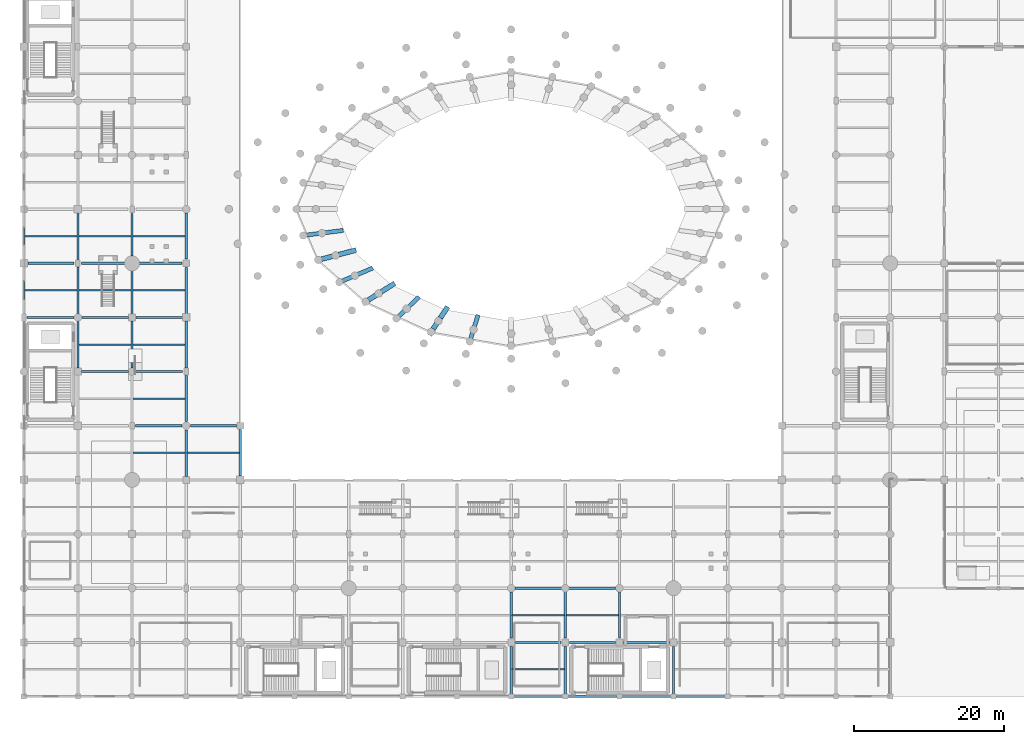
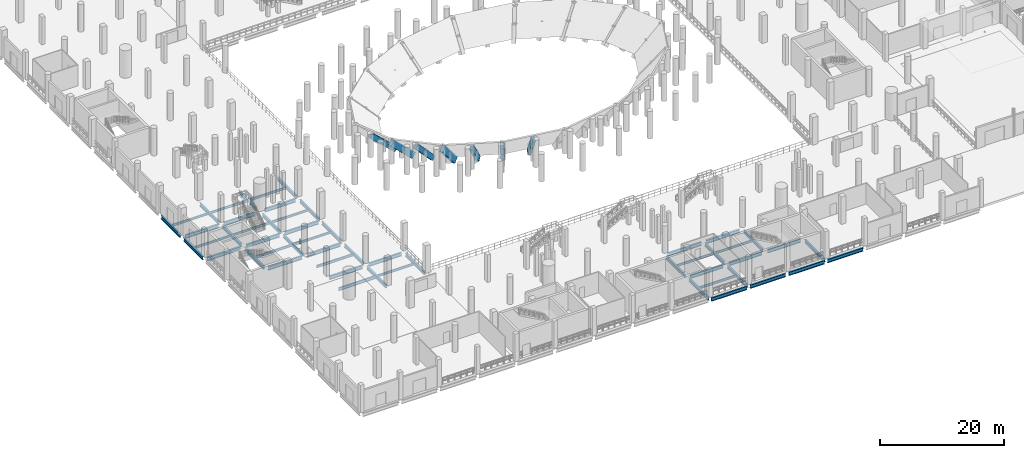
# One storey, part 7 of 58: 67 beams.
"""IFC4 building model written with IfcOpenShell, lengths in metres."""

from ifc_helpers import new_model, si_unit, direction, frame, origin, origin_2d, place, context, subcontext, project, spatial, rectangle, i_section, extrude, material, material_profile, profile_set, type_object, element, save


model = new_model("IFC4")

# Units and contexts
model_context = context("Model", 3, precision=1e-05, world=origin(), true_north=direction((0.0, 1.0)))
body_context = subcontext(model_context, "Body", "Model", "MODEL_VIEW")
ifc_project = project(units=[si_unit("LENGTHUNIT", "METRE"), si_unit("AREAUNIT", "SQUARE_METRE"), si_unit("VOLUMEUNIT", "CUBIC_METRE"), si_unit("PLANEANGLEUNIT", "RADIAN"), si_unit("MASSUNIT", "GRAM", prefix="KILO")], contexts=[model_context])

# Site, building, storey
site_placement = place(None, origin())
site = spatial("IfcSite", under=ifc_project, at=site_placement, CompositionType="ELEMENT")
building_placement = place(site_placement, origin())
building = spatial("IfcBuilding", under=site, at=building_placement, Name="Qandorah Velis Arena", CompositionType="ELEMENT")
storey_placement = place(building_placement, origin())
storey = spatial("IfcBuildingStorey", under=building, at=storey_placement, Name="L00", CompositionType="ELEMENT", Elevation=0.0)

# Beams
ifc_material_1 = material(Name="Steel S355", Category="steel")
ifc_material_profile_1 = material_profile(ifc_material_1, i_section(OverallWidth=0.300048828125, OverallDepth=0.64990234375, WebThickness=0.01611328125, FlangeThickness=0.031005859375, FilletRadius=0.027099609375, at=origin_2d()), Name="HEB 650")
ifc_profile_set_1 = profile_set([ifc_material_profile_1], Name="Steel S355")
beam_type_1 = type_object("IfcBeamType", Name="STR-BM-HEB650", PredefinedType="BEAM", material=ifc_profile_set_1)
beam_1_placement = place(storey_placement, frame((0.0, 50.85009765625, -0.7451171875), z_axis=(0.0, 1.0, 0.0), x_axis=(-1.0, 0.0, 0.0)))
element("IfcBeam", 1, at=beam_1_placement, inside=storey, type_object=beam_type_1, Name="Primary floor girder L00 Y-275", PredefinedType="BEAM", context=body_context, shape_type="SweptSolid", body=[
    extrude(i_section(OverallWidth=0.300048828125, OverallDepth=0.64990234375, WebThickness=0.01611328125, FlangeThickness=0.031005859375, FilletRadius=0.027099609375, at=origin_2d()), origin(), (0.0, 0.0, 1.0), 6.199951171875),
])
beam_2_placement = place(storey_placement, frame((0.0, 58.14990234375, -0.7451171875), z_axis=(0.0, 1.0, 0.0), x_axis=(-1.0, 0.0, 0.0)))
element("IfcBeam", 2, at=beam_2_placement, inside=storey, type_object=beam_type_1, Name="Primary floor girder L00 Y-276", PredefinedType="BEAM", context=body_context, shape_type="SweptSolid", body=[
    extrude(i_section(OverallWidth=0.300048828125, OverallDepth=0.64990234375, WebThickness=0.01611328125, FlangeThickness=0.031005859375, FilletRadius=0.027099609375, at=origin_2d()), origin(), (0.0, 0.0, 1.0), 6.150146484375),
])
beam_3_placement = place(storey_placement, frame((7.199951171875, 43.64990234375, -0.7451171875), z_axis=(0.0, 1.0, 0.0), x_axis=(-1.0, 0.0, 0.0)))
element("IfcBeam", 3, at=beam_3_placement, inside=storey, type_object=beam_type_1, Name="Primary floor girder L00 Y-292", PredefinedType="BEAM", context=body_context, shape_type="SweptSolid", body=[
    extrude(i_section(OverallWidth=0.300048828125, OverallDepth=0.64990234375, WebThickness=0.01611328125, FlangeThickness=0.031005859375, FilletRadius=0.027099609375, at=origin_2d()), origin(), (0.0, 0.0, 1.0), 6.2001953125),
])
beam_4_placement = place(storey_placement, frame((7.199951171875, 50.949951171875, -0.7451171875), z_axis=(0.0, 1.0, 0.0), x_axis=(-1.0, 0.0, 0.0)))
element("IfcBeam", 4, at=beam_4_placement, inside=storey, type_object=beam_type_1, Name="Primary floor girder L00 Y-293", PredefinedType="BEAM", context=body_context, shape_type="SweptSolid", body=[
    extrude(i_section(OverallWidth=0.300048828125, OverallDepth=0.64990234375, WebThickness=0.01611328125, FlangeThickness=0.031005859375, FilletRadius=0.027099609375, at=origin_2d()), origin(), (0.0, 0.0, 1.0), 6.150146484375),
])
for number, where, z_axis, x_axis, name in (
    (5, (7.199951171875, 58.10009765625, -0.7451171875), (0.0, 1.0, 0.0), (-1.0, 0.0, 0.0), "Primary floor girder L00 Y-294"),
    (6, (14.39990234375, 43.64990234375, -0.7451171875), (0.0, 1.0, 0.0), (-1.0, 0.0, 0.0), "Primary floor girder L00 Y-310"),
):
    element("IfcBeam", number, at=place(storey_placement, frame(where, z_axis=z_axis, x_axis=x_axis)), inside=storey, type_object=beam_type_1, Name=name, PredefinedType="BEAM", context=body_context, shape_type="SweptSolid", body=[
        extrude(i_section(OverallWidth=0.300048828125, OverallDepth=0.64990234375, WebThickness=0.01611328125, FlangeThickness=0.031005859375, FilletRadius=0.027099609375, at=origin_2d()), origin(), (0.0, 0.0, 1.0), 6.25),
    ])
beam_5_placement = place(storey_placement, frame((14.39990234375, 50.89990234375, -0.7451171875), z_axis=(0.0, 1.0, 0.0), x_axis=(-1.0, 0.0, 0.0)))
element("IfcBeam", 7, at=beam_5_placement, inside=storey, type_object=beam_type_1, Name="Primary floor girder L00 Y-311", PredefinedType="BEAM", context=body_context, shape_type="SweptSolid", body=[
    extrude(i_section(OverallWidth=0.300048828125, OverallDepth=0.64990234375, WebThickness=0.01611328125, FlangeThickness=0.031005859375, FilletRadius=0.027099609375, at=origin_2d()), origin(), (0.0, 0.0, 1.0), 5.75),
])
beam_6_placement = place(storey_placement, frame((14.39990234375, 58.550048828125, -0.7451171875), z_axis=(0.0, 1.0, 0.0), x_axis=(-1.0, 0.0, 0.0)))
element("IfcBeam", 8, at=beam_6_placement, inside=storey, type_object=beam_type_1, Name="Primary floor girder L00 Y-312", PredefinedType="BEAM", context=body_context, shape_type="SweptSolid", body=[
    extrude(i_section(OverallWidth=0.300048828125, OverallDepth=0.64990234375, WebThickness=0.01611328125, FlangeThickness=0.031005859375, FilletRadius=0.027099609375, at=origin_2d()), origin(), (0.0, 0.0, 1.0), 5.699951171875),
])
beam_7_placement = place(storey_placement, frame((21.60009765625, 29.25, -0.7451171875), z_axis=(0.0, 1.0, 0.0), x_axis=(-1.0, 0.0, 0.0)))
element("IfcBeam", 9, at=beam_7_placement, inside=storey, type_object=beam_type_1, Name="Primary floor girder L00 Y-326", PredefinedType="BEAM", context=body_context, shape_type="SweptSolid", body=[
    extrude(i_section(OverallWidth=0.300048828125, OverallDepth=0.64990234375, WebThickness=0.01611328125, FlangeThickness=0.031005859375, FilletRadius=0.027099609375, at=origin_2d()), origin(), (0.0, 0.0, 1.0), 6.199951171875),
])
beam_8_placement = place(storey_placement, frame((21.60009765625, 36.550048828125, -0.7451171875), z_axis=(0.0, 1.0, 0.0), x_axis=(-1.0, 0.0, 0.0)))
element("IfcBeam", 10, at=beam_8_placement, inside=storey, type_object=beam_type_1, Name="Primary floor girder L00 Y-327", PredefinedType="BEAM", context=body_context, shape_type="SweptSolid", body=[
    extrude(i_section(OverallWidth=0.300048828125, OverallDepth=0.64990234375, WebThickness=0.01611328125, FlangeThickness=0.031005859375, FilletRadius=0.027099609375, at=origin_2d()), origin(), (0.0, 0.0, 1.0), 6.14990234375),
])
beam_9_placement = place(storey_placement, frame((21.60009765625, 43.699951171875, -0.7451171875), z_axis=(0.0, 1.0, 0.0), x_axis=(-1.0, 0.0, 0.0)))
element("IfcBeam", 11, at=beam_9_placement, inside=storey, type_object=beam_type_1, Name="Primary floor girder L00 Y-328", PredefinedType="BEAM", context=body_context, shape_type="SweptSolid", body=[
    extrude(i_section(OverallWidth=0.300048828125, OverallDepth=0.64990234375, WebThickness=0.01611328125, FlangeThickness=0.031005859375, FilletRadius=0.027099609375, at=origin_2d()), origin(), (0.0, 0.0, 1.0), 6.25),
])
beam_10_placement = place(storey_placement, frame((21.60009765625, 50.85009765625, -0.7451171875), z_axis=(0.0, 1.0, 0.0), x_axis=(-1.0, 0.0, 0.0)))
element("IfcBeam", 12, at=beam_10_placement, inside=storey, type_object=beam_type_1, Name="Primary floor girder L00 Y-329", PredefinedType="BEAM", context=body_context, shape_type="SweptSolid", body=[
    extrude(i_section(OverallWidth=0.300048828125, OverallDepth=0.64990234375, WebThickness=0.01611328125, FlangeThickness=0.031005859375, FilletRadius=0.027099609375, at=origin_2d()), origin(), (0.0, 0.0, 1.0), 6.199951171875),
])
beam_11_placement = place(storey_placement, frame((21.60009765625, 58.14990234375, -0.7451171875), z_axis=(0.0, 1.0, 0.0), x_axis=(-1.0, 0.0, 0.0)))
element("IfcBeam", 13, at=beam_11_placement, inside=storey, type_object=beam_type_1, Name="Primary floor girder L00 Y-330", PredefinedType="BEAM", context=body_context, shape_type="SweptSolid", body=[
    extrude(i_section(OverallWidth=0.300048828125, OverallDepth=0.64990234375, WebThickness=0.01611328125, FlangeThickness=0.031005859375, FilletRadius=0.027099609375, at=origin_2d()), origin(), (0.0, 0.0, 1.0), 6.150146484375),
])
beam_12_placement = place(storey_placement, frame((28.800048828125, 29.35009765625, -0.7451171875), z_axis=(0.0, 1.0, 0.0), x_axis=(-1.0, 0.0, 0.0)))
element("IfcBeam", 14, at=beam_12_placement, inside=storey, type_object=beam_type_1, Name="Primary floor girder L00 Y-344", PredefinedType="BEAM", context=body_context, shape_type="SweptSolid", body=[
    extrude(i_section(OverallWidth=0.300048828125, OverallDepth=0.64990234375, WebThickness=0.01611328125, FlangeThickness=0.031005859375, FilletRadius=0.027099609375, at=origin_2d()), origin(), (0.0, 0.0, 1.0), 6.14990234375),
])
beam_13_placement = place(storey_placement, frame((64.800048828125, 0.300048828125, -0.7451171875), z_axis=(0.0, 1.0, 0.0), x_axis=(-1.0, 0.0, 0.0)))
element("IfcBeam", 15, at=beam_13_placement, inside=storey, type_object=beam_type_1, Name="Primary floor girder L00 Y-378", PredefinedType="BEAM", context=body_context, shape_type="SweptSolid", body=[
    extrude(i_section(OverallWidth=0.300048828125, OverallDepth=0.64990234375, WebThickness=0.01611328125, FlangeThickness=0.031005859375, FilletRadius=0.027099609375, at=origin_2d()), origin(), (0.0, 0.0, 1.0), 6.349853515625),
])
beam_14_placement = place(storey_placement, frame((64.800048828125, 7.75, -0.7451171875), z_axis=(0.0, 1.0, 0.0), x_axis=(-1.0, 0.0, 0.0)))
element("IfcBeam", 16, at=beam_14_placement, inside=storey, type_object=beam_type_1, Name="Primary floor girder L00 Y-379", PredefinedType="BEAM", context=body_context, shape_type="SweptSolid", body=[
    extrude(i_section(OverallWidth=0.300048828125, OverallDepth=0.64990234375, WebThickness=0.01611328125, FlangeThickness=0.031005859375, FilletRadius=0.027099609375, at=origin_2d()), origin(), (0.0, 0.0, 1.0), 6.14990234375),
])
beam_15_placement = place(storey_placement, frame((72.0, 0.300048828125, -0.7451171875), z_axis=(0.0, 1.0, 0.0), x_axis=(-1.0, 0.0, 0.0)))
element("IfcBeam", 17, at=beam_15_placement, inside=storey, type_object=beam_type_1, Name="Primary floor girder L00 Y-386", PredefinedType="BEAM", context=body_context, shape_type="SweptSolid", body=[
    extrude(i_section(OverallWidth=0.300048828125, OverallDepth=0.64990234375, WebThickness=0.01611328125, FlangeThickness=0.031005859375, FilletRadius=0.027099609375, at=origin_2d()), origin(), (0.0, 0.0, 1.0), 6.349853515625),
])
beam_16_placement = place(storey_placement, frame((72.0, 7.75, -0.7451171875), z_axis=(0.0, 1.0, 0.0), x_axis=(-1.0, 0.0, 0.0)))
element("IfcBeam", 18, at=beam_16_placement, inside=storey, type_object=beam_type_1, Name="Primary floor girder L00 Y-387", PredefinedType="BEAM", context=body_context, shape_type="SweptSolid", body=[
    extrude(i_section(OverallWidth=0.300048828125, OverallDepth=0.64990234375, WebThickness=0.01611328125, FlangeThickness=0.031005859375, FilletRadius=0.027099609375, at=origin_2d()), origin(), (0.0, 0.0, 1.0), 6.199951171875),
])
beam_17_placement = place(storey_placement, frame((79.199951171875, 7.75, -0.7451171875), z_axis=(0.0, 1.0, 0.0), x_axis=(-1.0, 0.0, 0.0)))
element("IfcBeam", 19, at=beam_17_placement, inside=storey, type_object=beam_type_1, Name="Primary floor girder L00 Y-394", PredefinedType="BEAM", context=body_context, shape_type="SweptSolid", body=[
    extrude(i_section(OverallWidth=0.300048828125, OverallDepth=0.64990234375, WebThickness=0.01611328125, FlangeThickness=0.031005859375, FilletRadius=0.027099609375, at=origin_2d()), origin(), (0.0, 0.0, 1.0), 6.14990234375),
])
beam_18_placement = place(storey_placement, frame((86.39990234375, 0.300048828125, -0.7451171875), z_axis=(0.0, 1.0, 0.0), x_axis=(-1.0, 0.0, 0.0)))
element("IfcBeam", 20, at=beam_18_placement, inside=storey, type_object=beam_type_1, Name="Primary floor girder L00 Y-400", PredefinedType="BEAM", context=body_context, shape_type="SweptSolid", body=[
    extrude(i_section(OverallWidth=0.300048828125, OverallDepth=0.64990234375, WebThickness=0.01611328125, FlangeThickness=0.031005859375, FilletRadius=0.027099609375, at=origin_2d()), origin(), (0.0, 0.0, 1.0), 6.349853515625),
])
ifc_material_profile_2 = material_profile(ifc_material_1, i_section(OverallWidth=0.300048828125, OverallDepth=0.699951171875, WebThickness=0.01708984375, FlangeThickness=0.031982421875, FilletRadius=0.027099609375, at=origin_2d()), Name="HEB 700")
ifc_profile_set_2 = profile_set([ifc_material_profile_2], Name="Steel S355")
beam_type_2 = type_object("IfcBeamType", Name="STR-BM-HEB700", PredefinedType="BEAM", material=ifc_profile_set_2)
for number, where, z_axis, x_axis, name in (
    (21, (65.10009765625, 0.0, -0.77001953125), (1.0, 0.0, 0.0), (0.0, 1.0, 0.0), "Primary floor girder L00 X-010"),
    (22, (72.300048828125, 0.0, -0.77001953125), (1.0, 0.0, 0.0), (0.0, 1.0, 0.0), "Primary floor girder L00 X-011"),
):
    element("IfcBeam", number, at=place(storey_placement, frame(where, z_axis=z_axis, x_axis=x_axis)), inside=storey, type_object=beam_type_2, Name=name, PredefinedType="BEAM", context=body_context, shape_type="SweptSolid", body=[
        extrude(i_section(OverallWidth=0.300048828125, OverallDepth=0.699951171875, WebThickness=0.01708984375, FlangeThickness=0.031982421875, FilletRadius=0.027099609375, at=origin_2d()), origin(), (0.0, 0.0, 1.0), 6.599853515625),
    ])
for number, where, z_axis, x_axis, name in (
    (23, (79.5, 0.0, -0.77001953125), (1.0, 0.0, 0.0), (0.0, 1.0, 0.0), "Primary floor girder L00 X-012"),
    (24, (86.699951171875, 0.0, -0.77001953125), (1.0, 0.0, 0.0), (0.0, 1.0, 0.0), "Primary floor girder L00 X-013"),
):
    element("IfcBeam", number, at=place(storey_placement, frame(where, z_axis=z_axis, x_axis=x_axis)), inside=storey, type_object=beam_type_2, Name=name, PredefinedType="BEAM", context=body_context, shape_type="SweptSolid", body=[
        extrude(i_section(OverallWidth=0.300048828125, OverallDepth=0.699951171875, WebThickness=0.01708984375, FlangeThickness=0.031982421875, FilletRadius=0.027099609375, at=origin_2d()), origin(), (0.0, 0.0, 1.0), 6.60009765625),
    ])
for number, where, z_axis, x_axis, name in (
    (25, (65.35009765625, 7.199951171875, -0.77001953125), (1.0, 0.0, 0.0), (0.0, 1.0, 0.0), "Primary floor girder L00 X-026"),
    (26, (72.550048828125, 7.199951171875, -0.77001953125), (1.0, 0.0, 0.0), (0.0, 1.0, 0.0), "Primary floor girder L00 X-027"),
):
    element("IfcBeam", number, at=place(storey_placement, frame(where, z_axis=z_axis, x_axis=x_axis)), inside=storey, type_object=beam_type_2, Name=name, PredefinedType="BEAM", context=body_context, shape_type="SweptSolid", body=[
        extrude(i_section(OverallWidth=0.300048828125, OverallDepth=0.699951171875, WebThickness=0.01708984375, FlangeThickness=0.031982421875, FilletRadius=0.027099609375, at=origin_2d()), origin(), (0.0, 0.0, 1.0), 6.099853515625),
    ])
beam_19_placement = place(storey_placement, frame((79.75, 7.199951171875, -0.77001953125), z_axis=(1.0, 0.0, 0.0), x_axis=(0.0, 1.0, 0.0)))
element("IfcBeam", 27, at=beam_19_placement, inside=storey, type_object=beam_type_2, Name="Primary floor girder L00 X-028", PredefinedType="BEAM", context=body_context, shape_type="SweptSolid", body=[
    extrude(i_section(OverallWidth=0.300048828125, OverallDepth=0.699951171875, WebThickness=0.01708984375, FlangeThickness=0.031982421875, FilletRadius=0.027099609375, at=origin_2d()), origin(), (0.0, 0.0, 1.0), 6.10009765625),
])
for number, where, z_axis, x_axis, name in (
    (28, (65.300048828125, 14.39990234375, -0.77001953125), (1.0, 0.0, 0.0), (0.0, 1.0, 0.0), "Primary floor girder L00 X-042"),
    (29, (72.449951171875, 14.39990234375, -0.77001953125), (1.0, 0.0, 0.0), (0.0, 1.0, 0.0), "Primary floor girder L00 X-043"),
):
    element("IfcBeam", number, at=place(storey_placement, frame(where, z_axis=z_axis, x_axis=x_axis)), inside=storey, type_object=beam_type_2, Name=name, PredefinedType="BEAM", context=body_context, shape_type="SweptSolid", body=[
        extrude(i_section(OverallWidth=0.300048828125, OverallDepth=0.699951171875, WebThickness=0.01708984375, FlangeThickness=0.031982421875, FilletRadius=0.027099609375, at=origin_2d()), origin(), (0.0, 0.0, 1.0), 6.25),
    ])
beam_20_placement = place(storey_placement, frame((14.85009765625, 36.0, -0.77001953125), z_axis=(1.0, 0.0, 0.0), x_axis=(0.0, 1.0, 0.0)))
element("IfcBeam", 30, at=beam_20_placement, inside=storey, type_object=beam_type_2, Name="Primary floor girder L00 X-093", PredefinedType="BEAM", context=body_context, shape_type="SweptSolid", body=[
    extrude(i_section(OverallWidth=0.300048828125, OverallDepth=0.699951171875, WebThickness=0.01708984375, FlangeThickness=0.031982421875, FilletRadius=0.027099609375, at=origin_2d()), origin(), (0.0, 0.0, 1.0), 6.199951171875),
])
beam_21_placement = place(storey_placement, frame((22.14990234375, 36.0, -0.77001953125), z_axis=(1.0, 0.0, 0.0), x_axis=(0.0, 1.0, 0.0)))
element("IfcBeam", 31, at=beam_21_placement, inside=storey, type_object=beam_type_2, Name="Primary floor girder L00 X-094", PredefinedType="BEAM", context=body_context, shape_type="SweptSolid", body=[
    extrude(i_section(OverallWidth=0.300048828125, OverallDepth=0.699951171875, WebThickness=0.01708984375, FlangeThickness=0.031982421875, FilletRadius=0.027099609375, at=origin_2d()), origin(), (0.0, 0.0, 1.0), 6.150146484375),
])
beam_22_placement = place(storey_placement, frame((7.64990234375, 43.199951171875, -0.77001953125), z_axis=(1.0, 0.0, 0.0), x_axis=(0.0, 1.0, 0.0)))
element("IfcBeam", 32, at=beam_22_placement, inside=storey, type_object=beam_type_2, Name="Primary floor girder L00 X-101", PredefinedType="BEAM", context=body_context, shape_type="SweptSolid", body=[
    extrude(i_section(OverallWidth=0.300048828125, OverallDepth=0.699951171875, WebThickness=0.01708984375, FlangeThickness=0.031982421875, FilletRadius=0.027099609375, at=origin_2d()), origin(), (0.0, 0.0, 1.0), 6.300048828125),
])
beam_23_placement = place(storey_placement, frame((14.85009765625, 43.199951171875, -0.77001953125), z_axis=(1.0, 0.0, 0.0), x_axis=(0.0, 1.0, 0.0)))
element("IfcBeam", 33, at=beam_23_placement, inside=storey, type_object=beam_type_2, Name="Primary floor girder L00 X-102", PredefinedType="BEAM", context=body_context, shape_type="SweptSolid", body=[
    extrude(i_section(OverallWidth=0.300048828125, OverallDepth=0.699951171875, WebThickness=0.01708984375, FlangeThickness=0.031982421875, FilletRadius=0.027099609375, at=origin_2d()), origin(), (0.0, 0.0, 1.0), 6.25),
])
beam_24_placement = place(storey_placement, frame((0.449951171875, 50.39990234375, -0.77001953125), z_axis=(1.0, 0.0, 0.0), x_axis=(0.0, 1.0, 0.0)))
element("IfcBeam", 34, at=beam_24_placement, inside=storey, type_object=beam_type_2, Name="Primary floor girder L00 X-110", PredefinedType="BEAM", context=body_context, shape_type="SweptSolid", body=[
    extrude(i_section(OverallWidth=0.300048828125, OverallDepth=0.699951171875, WebThickness=0.01708984375, FlangeThickness=0.031982421875, FilletRadius=0.027099609375, at=origin_2d()), origin(), (0.0, 0.0, 1.0), 6.199951171875),
])
beam_25_placement = place(storey_placement, frame((7.75, 50.39990234375, -0.77001953125), z_axis=(1.0, 0.0, 0.0), x_axis=(0.0, 1.0, 0.0)))
element("IfcBeam", 35, at=beam_25_placement, inside=storey, type_object=beam_type_2, Name="Primary floor girder L00 X-111", PredefinedType="BEAM", context=body_context, shape_type="SweptSolid", body=[
    extrude(i_section(OverallWidth=0.300048828125, OverallDepth=0.699951171875, WebThickness=0.01708984375, FlangeThickness=0.031982421875, FilletRadius=0.027099609375, at=origin_2d()), origin(), (0.0, 0.0, 1.0), 6.14990234375),
])
beam_26_placement = place(storey_placement, frame((14.89990234375, 50.39990234375, -0.77001953125), z_axis=(1.0, 0.0, 0.0), x_axis=(0.0, 1.0, 0.0)))
element("IfcBeam", 36, at=beam_26_placement, inside=storey, type_object=beam_type_2, Name="Primary floor girder L00 X-112", PredefinedType="BEAM", context=body_context, shape_type="SweptSolid", body=[
    extrude(i_section(OverallWidth=0.300048828125, OverallDepth=0.699951171875, WebThickness=0.01708984375, FlangeThickness=0.031982421875, FilletRadius=0.027099609375, at=origin_2d()), origin(), (0.0, 0.0, 1.0), 6.25),
])
beam_27_placement = place(storey_placement, frame((0.550048828125, 57.60009765625, -0.77001953125), z_axis=(1.0, 0.0, 0.0), x_axis=(0.0, 1.0, 0.0)))
element("IfcBeam", 37, at=beam_27_placement, inside=storey, type_object=beam_type_2, Name="Primary floor girder L00 X-119", PredefinedType="BEAM", context=body_context, shape_type="SweptSolid", body=[
    extrude(i_section(OverallWidth=0.300048828125, OverallDepth=0.699951171875, WebThickness=0.01708984375, FlangeThickness=0.031982421875, FilletRadius=0.027099609375, at=origin_2d()), origin(), (0.0, 0.0, 1.0), 6.14990234375),
])
beam_28_placement = place(storey_placement, frame((7.699951171875, 57.60009765625, -0.77001953125), z_axis=(1.0, 0.0, 0.0), x_axis=(0.0, 1.0, 0.0)))
element("IfcBeam", 38, at=beam_28_placement, inside=storey, type_object=beam_type_2, Name="Primary floor girder L00 X-120", PredefinedType="BEAM", context=body_context, shape_type="SweptSolid", body=[
    extrude(i_section(OverallWidth=0.300048828125, OverallDepth=0.699951171875, WebThickness=0.01708984375, FlangeThickness=0.031982421875, FilletRadius=0.027099609375, at=origin_2d()), origin(), (0.0, 0.0, 1.0), 5.75),
])
beam_29_placement = place(storey_placement, frame((15.35009765625, 57.60009765625, -0.77001953125), z_axis=(1.0, 0.0, 0.0), x_axis=(0.0, 1.0, 0.0)))
element("IfcBeam", 39, at=beam_29_placement, inside=storey, type_object=beam_type_2, Name="Primary floor girder L00 X-121", PredefinedType="BEAM", context=body_context, shape_type="SweptSolid", body=[
    extrude(i_section(OverallWidth=0.300048828125, OverallDepth=0.699951171875, WebThickness=0.01708984375, FlangeThickness=0.031982421875, FilletRadius=0.027099609375, at=origin_2d()), origin(), (0.0, 0.0, 1.0), 5.699951171875),
])
ifc_material_profile_3 = material_profile(ifc_material_1, i_section(OverallWidth=0.18994140625, OverallDepth=0.449951171875, WebThickness=0.009521484375, FlangeThickness=0.0146484375, FilletRadius=0.02099609375, at=origin_2d()), Name="IPE 450")
ifc_profile_set_3 = profile_set([ifc_material_profile_3], Name="Steel S355")
beam_type_3 = type_object("IfcBeamType", Name="STR-JST-IPE450", PredefinedType="JOIST", material=ifc_profile_set_3)
for number, where, z_axis, x_axis, name in (
    (40, (0.135009765625, 54.0, -0.64501953125), (1.0, 0.0, 0.0), (0.0, 1.0, 0.0), "Secondary floor joist L00-006"),
    (41, (0.135009765625, 61.199951171875, -0.64501953125), (1.0, 0.0, 0.0), (0.0, 1.0, 0.0), "Secondary floor joist L00-007"),
    (42, (7.3349609375, 46.800048828125, -0.64501953125), (1.0, 0.0, 0.0), (0.0, 1.0, 0.0), "Secondary floor joist L00-021"),
    (43, (7.3349609375, 54.0, -0.64501953125), (1.0, 0.0, 0.0), (0.0, 1.0, 0.0), "Secondary floor joist L00-022"),
    (44, (7.3349609375, 61.199951171875, -0.64501953125), (1.0, 0.0, 0.0), (0.0, 1.0, 0.0), "Secondary floor joist L00-023"),
):
    element("IfcBeam", number, at=place(storey_placement, frame(where, z_axis=z_axis, x_axis=x_axis)), inside=storey, type_object=beam_type_3, Name=name, PredefinedType="JOIST", context=body_context, shape_type="SweptSolid", body=[
        extrude(i_section(OverallWidth=0.18994140625, OverallDepth=0.449951171875, WebThickness=0.009521484375, FlangeThickness=0.0146484375, FilletRadius=0.02099609375, at=origin_2d()), origin(), (0.0, 0.0, 1.0), 6.929931640625),
    ])
for number, where, z_axis, x_axis, name in (
    (45, (14.534912109375, 46.800048828125, -0.64501953125), (1.0, 0.0, 0.0), (0.0, 1.0, 0.0), "Secondary floor joist L00-039"),
    (46, (14.534912109375, 54.0, -0.64501953125), (1.0, 0.0, 0.0), (0.0, 1.0, 0.0), "Secondary floor joist L00-040"),
    (47, (14.534912109375, 61.199951171875, -0.64501953125), (1.0, 0.0, 0.0), (0.0, 1.0, 0.0), "Secondary floor joist L00-041"),
):
    element("IfcBeam", number, at=place(storey_placement, frame(where, z_axis=z_axis, x_axis=x_axis)), inside=storey, type_object=beam_type_3, Name=name, PredefinedType="JOIST", context=body_context, shape_type="SweptSolid", body=[
        extrude(i_section(OverallWidth=0.18994140625, OverallDepth=0.449951171875, WebThickness=0.009521484375, FlangeThickness=0.0146484375, FilletRadius=0.02099609375, at=origin_2d()), origin(), (0.0, 0.0, 1.0), 6.93017578125),
    ])
for number, where, z_axis, x_axis, name in (
    (48, (21.735107421875, 32.39990234375, -0.64501953125), (1.0, 0.0, 0.0), (0.0, 1.0, 0.0), "Secondary floor joist L00-055"),
    (49, (64.93505859375, 3.60009765625, -0.64501953125), (1.0, 0.0, 0.0), (0.0, 1.0, 0.0), "Secondary floor joist L00-093"),
    (50, (64.93505859375, 10.800048828125, -0.64501953125), (1.0, 0.0, 0.0), (0.0, 1.0, 0.0), "Secondary floor joist L00-094"),
    (51, (72.135009765625, 10.800048828125, -0.64501953125), (1.0, 0.0, 0.0), (0.0, 1.0, 0.0), "Secondary floor joist L00-101"),
):
    element("IfcBeam", number, at=place(storey_placement, frame(where, z_axis=z_axis, x_axis=x_axis)), inside=storey, type_object=beam_type_3, Name=name, PredefinedType="JOIST", context=body_context, shape_type="SweptSolid", body=[
        extrude(i_section(OverallWidth=0.18994140625, OverallDepth=0.449951171875, WebThickness=0.009521484375, FlangeThickness=0.0146484375, FilletRadius=0.02099609375, at=origin_2d()), origin(), (0.0, 0.0, 1.0), 6.929931640625),
    ])
ifc_material_profile_4 = material_profile(ifc_material_1, i_section(OverallWidth=0.199951171875, OverallDepth=0.5, WebThickness=0.01025390625, FlangeThickness=0.01611328125, FilletRadius=0.02099609375, at=origin_2d()), Name="IPE 500")
ifc_profile_set_4 = profile_set([ifc_material_profile_4], Name="Steel S355")
beam_type_4 = type_object("IfcBeamType", Name="STR-JST-IPE500", PredefinedType="JOIST", material=ifc_profile_set_4)
beam_30_placement = place(storey_placement, frame((14.534912109375, 39.60009765625, -0.669921875), z_axis=(1.0, 0.0, 0.0), x_axis=(0.0, 1.0, 0.0)))
element("IfcBeam", 52, at=beam_30_placement, inside=storey, type_object=beam_type_4, Name="Secondary floor joist L00-038", PredefinedType="JOIST", context=body_context, shape_type="SweptSolid", body=[
    extrude(i_section(OverallWidth=0.199951171875, OverallDepth=0.5, WebThickness=0.01025390625, FlangeThickness=0.01611328125, FilletRadius=0.02099609375, at=origin_2d()), origin(), (0.0, 0.0, 1.0), 6.93017578125),
])
ifc_material_profile_5 = material_profile(ifc_material_1, i_section(OverallWidth=0.219970703125, OverallDepth=0.60009765625, WebThickness=0.011962890625, FlangeThickness=0.01904296875, FilletRadius=0.02392578125, at=origin_2d()), Name="IPE 600")
ifc_profile_set_5 = profile_set([ifc_material_profile_5], Name="Steel S355")
beam_type_5 = type_object("IfcBeamType", Name="STR-JST-IPE600", PredefinedType="JOIST", material=ifc_profile_set_5)
beam_31_placement = place(storey_placement, frame((14.534912109375, 32.39990234375, -0.719970703125), z_axis=(1.0, 0.0, 0.0), x_axis=(0.0, 1.0, 0.0)))
element("IfcBeam", 53, at=beam_31_placement, inside=storey, type_object=beam_type_5, Name="Secondary floor joist L00-037", PredefinedType="JOIST", context=body_context, shape_type="SweptSolid", body=[
    extrude(i_section(OverallWidth=0.219970703125, OverallDepth=0.60009765625, WebThickness=0.011962890625, FlangeThickness=0.01904296875, FilletRadius=0.02392578125, at=origin_2d()), origin(), (0.0, 0.0, 1.0), 6.93017578125),
])
ifc_material_2 = material(Name="Concrete C40/50", Category="concrete")
ifc_material_profile_6 = material_profile(ifc_material_2, rectangle(XDim=0.550048828125, YDim=0.949951171875, at=origin_2d()), Name="RC RAKER 550x950")
ifc_profile_set_6 = profile_set([ifc_material_profile_6], Name="Concrete C40/50")
beam_type_6 = type_object("IfcBeamType", Name="STR-RAK-550X950", PredefinedType="USERDEFINED", material=ifc_profile_set_6)
for number, where, z_axis, x_axis, name in (
    (54, (42.14501953125, 61.9306640625, -0.715087890625), (-0.717269074384, -0.090862046946, 0.69084670033), (0.125673426448, -0.9920716657, 0.0), "Lower bowl inner raker beam RB-LA09.2"),
    (55, (39.653076171875, 61.614990234375, 1.68505859375), (-0.71733801119, -0.090861877789, 0.690775142045), (0.125661309593, -0.992073200561, 0.0), "Lower bowl outer raker beam RB-LB09.2"),
):
    element("IfcBeam", number, at=place(storey_placement, frame(where, z_axis=z_axis, x_axis=x_axis)), inside=storey, type_object=beam_type_6, Name=name, ObjectType="RAKER BEAM", PredefinedType="USERDEFINED", context=body_context, shape_type="SweptSolid", body=[
        extrude(rectangle(XDim=0.550048828125, YDim=0.949951171875, at=origin_2d()), origin(), (0.0, 0.0, 1.0), 3.47412109375),
    ])
beam_32_placement = place(storey_placement, frame((46.082763671875, 56.83642578125, -0.715087890625), z_axis=(-0.627448073055, -0.266961186544, 0.731464722662), x_axis=(0.391507987355, -0.92017470941, 0.0)))
element("IfcBeam", 56, at=beam_32_placement, inside=storey, type_object=beam_type_6, Name="Lower bowl inner raker beam RB-LA10.2", ObjectType="RAKER BEAM", PredefinedType="USERDEFINED", context=body_context, shape_type="SweptSolid", body=[
    extrude(rectangle(XDim=0.550048828125, YDim=0.949951171875, at=origin_2d()), origin(), (0.0, 0.0, 1.0), 3.28125),
])
beam_33_placement = place(storey_placement, frame((44.02392578125, 55.96044921875, 1.68505859375), z_axis=(-0.627482222231, -0.26697571604, 0.731430125049), x_axis=(0.391507987355, -0.92017470941, 0.0)))
element("IfcBeam", 57, at=beam_33_placement, inside=storey, type_object=beam_type_6, Name="Lower bowl outer raker beam RB-LB10.2", ObjectType="RAKER BEAM", PredefinedType="USERDEFINED", context=body_context, shape_type="SweptSolid", body=[
    extrude(rectangle(XDim=0.550048828125, YDim=0.949951171875, at=origin_2d()), origin(), (0.0, 0.0, 1.0), 3.281005859375),
])
for number, where, z_axis, x_axis, name in (
    (58, (52.29345703125, 52.8818359375, -0.715087890625), (-0.449380494122, -0.428247249944, 0.784003484953), (0.689879693058, -0.723924035453, 0.0), "Lower bowl inner raker beam RB-LA11.2"),
    (59, (50.917724609375, 51.57080078125, 1.68505859375), (-0.449408591846, -0.428274026302, 0.783972752058), (0.689879693058, -0.723924035453, 0.0), "Lower bowl outer raker beam RB-LB11.2"),
):
    element("IfcBeam", number, at=place(storey_placement, frame(where, z_axis=z_axis, x_axis=x_axis)), inside=storey, type_object=beam_type_6, Name=name, ObjectType="RAKER BEAM", PredefinedType="USERDEFINED", context=body_context, shape_type="SweptSolid", body=[
        extrude(rectangle(XDim=0.550048828125, YDim=0.949951171875, at=origin_2d()), origin(), (0.0, 0.0, 1.0), 3.061279296875),
    ])
beam_34_placement = place(storey_placement, frame((60.293701171875, 50.37451171875, -0.715087890625), z_axis=(-0.169826785444, -0.543512607281, 0.822041914182), x_axis=(0.954490429028, -0.298241547901, 0.0)))
element("IfcBeam", 60, at=beam_34_placement, inside=storey, type_object=beam_type_6, Name="Lower bowl inner raker beam RB-LA12.2", ObjectType="RAKER BEAM", PredefinedType="USERDEFINED", context=body_context, shape_type="SweptSolid", body=[
    extrude(rectangle(XDim=0.550048828125, YDim=0.949951171875, at=origin_2d()), origin(), (0.0, 0.0, 1.0), 2.919677734375),
])
beam_35_placement = place(storey_placement, frame((59.7978515625, 48.78759765625, 1.68505859375), z_axis=(-0.169757246743, -0.543557686615, 0.822026470681), x_axis=(0.954532223567, -0.298107755975, 0.0)))
element("IfcBeam", 61, at=beam_35_placement, inside=storey, type_object=beam_type_6, Name="Lower bowl outer raker beam RB-LB12.2", ObjectType="RAKER BEAM", PredefinedType="USERDEFINED", context=body_context, shape_type="SweptSolid", body=[
    extrude(rectangle(XDim=0.550048828125, YDim=0.949951171875, at=origin_2d()), origin(), (0.0, 0.0, 1.0), 2.91943359375),
])
ifc_material_profile_7 = material_profile(ifc_material_2, rectangle(XDim=0.64990234375, YDim=1.199951171875, at=origin_2d()), Name="RC RAKER 650x1200")
ifc_profile_set_7 = profile_set([ifc_material_profile_7], Name="Concrete C40/50")
beam_type_7 = type_object("IfcBeamType", Name="STR-RAK-650X1200", PredefinedType="USERDEFINED", material=ifc_profile_set_7)
for number, where, z_axis, x_axis, name in (
    (62, (43.783447265625, 59.2568359375, -0.840087890625), (-0.682397449595, -0.1799499875, 0.708485513462), (0.254985861186, -0.966944781565, 0.0), "Lower bowl inner raker beam RB-LA10.1"),
    (63, (41.4716796875, 58.647216796875, 1.56005859375), (-0.682423439844, -0.180028910416, 0.708440428099), (0.255081334927, -0.966919599849, 0.0), "Lower bowl outer raker beam RB-LB10.1"),
):
    element("IfcBeam", number, at=place(storey_placement, frame(where, z_axis=z_axis, x_axis=x_axis)), inside=storey, type_object=beam_type_7, Name=name, ObjectType="RAKER BEAM", PredefinedType="USERDEFINED", context=body_context, shape_type="SweptSolid", body=[
        extrude(rectangle(XDim=0.64990234375, YDim=1.199951171875, at=origin_2d()), origin(), (0.0, 0.0, 1.0), 3.3876953125),
    ])
for number, where, z_axis, x_axis, name in (
    (64, (48.940185546875, 54.701416015625, -0.840087890625), (-0.5505902287, -0.350620789445, 0.757572083744), (0.537142821391, -0.843491309634, 0.0), "Lower bowl inner raker beam RB-LA11.1"),
    (65, (47.19580078125, 53.590576171875, 1.56005859375), (-0.550661188214, -0.350693964115, 0.757486633102), (0.537173321328, -0.843471886226, 0.0), "Lower bowl outer raker beam RB-LB11.1"),
):
    element("IfcBeam", number, at=place(storey_placement, frame(where, z_axis=z_axis, x_axis=x_axis)), inside=storey, type_object=beam_type_7, Name=name, ObjectType="RAKER BEAM", PredefinedType="USERDEFINED", context=body_context, shape_type="SweptSolid", body=[
        extrude(rectangle(XDim=0.64990234375, YDim=1.199951171875, at=origin_2d()), origin(), (0.0, 0.0, 1.0), 3.168212890625),
    ])
for number, where, z_axis, x_axis, name in (
    (66, (56.0947265625, 51.417724609375, -0.840087890625), (-0.321973892614, -0.494946608508, 0.807069183653), (0.838243436999, -0.545296195042, 0.0), "Lower bowl inner raker beam RB-LA12.1"),
    (67, (55.13720703125, 49.94580078125, 1.56005859375), (-0.322055723212, -0.495028297468, 0.806986428543), (0.838221230668, -0.54533032967, 0.0), "Lower bowl outer raker beam RB-LB12.1"),
):
    element("IfcBeam", number, at=place(storey_placement, frame(where, z_axis=z_axis, x_axis=x_axis)), inside=storey, type_object=beam_type_7, Name=name, ObjectType="RAKER BEAM", PredefinedType="USERDEFINED", context=body_context, shape_type="SweptSolid", body=[
        extrude(rectangle(XDim=0.64990234375, YDim=1.199951171875, at=origin_2d()), origin(), (0.0, 0.0, 1.0), 2.973876953125),
    ])

save(model, "model.ifc")
